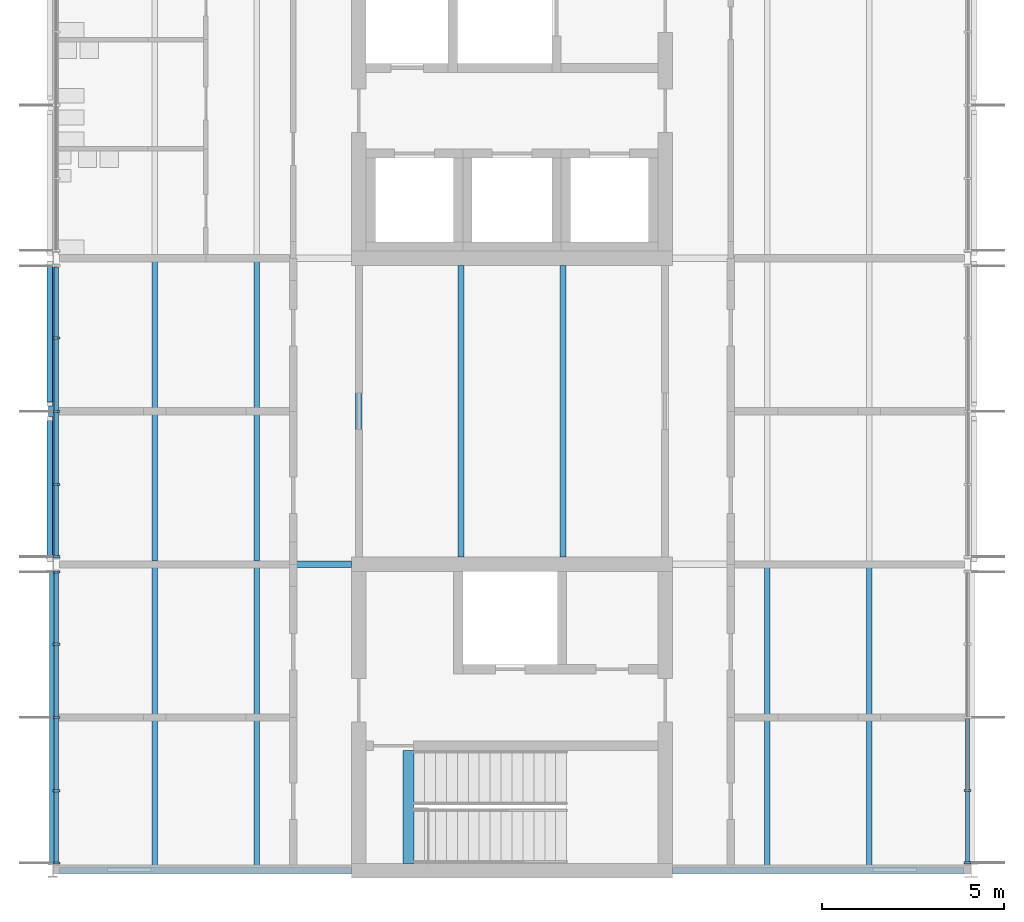
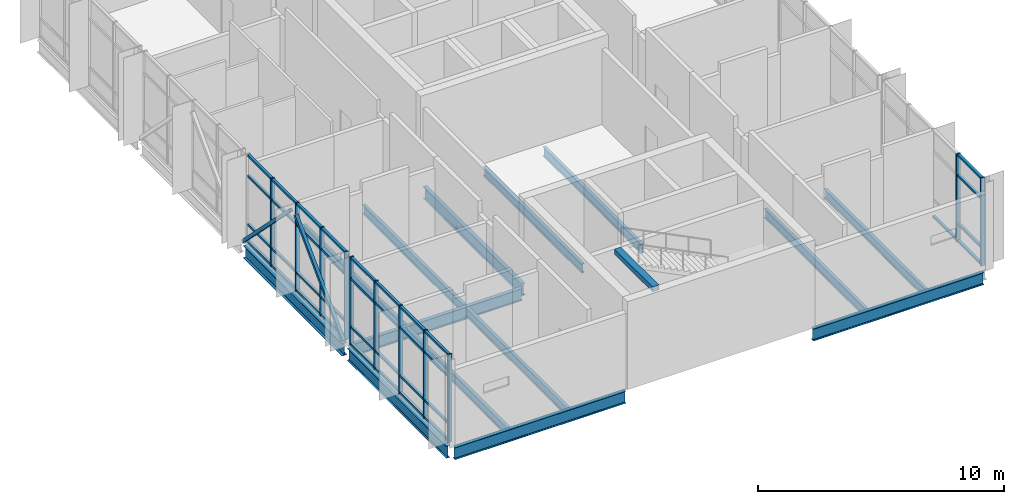
# One storey, part 2 of 15: 50 members, 15 beams, 3 elements without a shape of their own.
"""IFC4 building model written with IfcOpenShell, lengths in metres."""

from ifc_helpers import new_model, si_unit, direction, frame, origin, origin_2d, place, context, subcontext, project, spatial, rectangle, hollow_rectangle, i_section, extrude, material, material_profile, profile_set, type_object, element, aggregate, save


model = new_model("IFC4")

# Units and contexts
model_context = context("Model", 3, precision=1e-05, world=origin(), true_north=direction((0.0, 1.0)))
body_context = subcontext(model_context, "Body", "Model", "MODEL_VIEW")
ifc_project = project(units=[si_unit("LENGTHUNIT", "METRE"), si_unit("AREAUNIT", "SQUARE_METRE"), si_unit("VOLUMEUNIT", "CUBIC_METRE"), si_unit("PLANEANGLEUNIT", "RADIAN"), si_unit("MASSUNIT", "GRAM", prefix="KILO")], contexts=[model_context])

# Site, building, storey
site_placement = place(None, origin())
site = spatial("IfcSite", under=ifc_project, at=site_placement, CompositionType="ELEMENT")
building_placement = place(site_placement, origin())
building = spatial("IfcBuilding", under=site, at=building_placement, Name="Hlaing Beacon Police Headquarters", CompositionType="ELEMENT")
storey_placement = place(building_placement, frame((0.0, 0.0, 32.39990234375)))
storey = spatial("IfcBuildingStorey", under=building, at=storey_placement, Name="L07", CompositionType="ELEMENT", Elevation=32.39990234375)

# Members
ifc_material_1 = material(Name="Steel ASTM A500 Grade C", Category="steel")
ifc_material_profile_1 = material_profile(ifc_material_1, hollow_rectangle(XDim=0.15234375, YDim=0.15234375, WallThickness=0.0126953125, at=origin_2d()), Name="HSS6x6x1/2")
ifc_profile_set_1 = profile_set([ifc_material_profile_1], Name="Steel ASTM A500 Grade C")
member_type_1 = type_object("IfcMemberType", Name="Chevron brace HSS6x6x1/2", PredefinedType="BRACE", material=ifc_profile_set_1)
for number, where, z_axis, x_axis, name in (
    (1, (100.7197265625, 42.1298828125, 0.05419921875), (0.0, 0.704391022459, 0.70981214943), (-1.0, 0.0, 0.0), "STR-BR-L07-N6a"),
    (2, (100.7197265625, 50.27001953125, 0.05419921875), (0.0, -0.704391022459, 0.70981214943), (1.0, 0.0, 0.0), "STR-BR-L07-N6b"),
):
    element("IfcMember", number, at=place(storey_placement, frame(where, z_axis=z_axis, x_axis=x_axis)), inside=storey, type_object=member_type_1, Name=name, PredefinedType="BRACE", context=body_context, shape_type="SweptSolid", body=[
        extrude(hollow_rectangle(XDim=0.15234375, YDim=0.15234375, WallThickness=0.0126953125, at=origin_2d()), origin(), (0.0, 0.0, 1.0), 5.494384765625),
    ])

# Beams
ifc_material_2 = material(Name="Steel ASTM A992 Grade 50", Category="steel")
ifc_material_profile_2 = material_profile(ifc_material_2, i_section(OverallWidth=0.177978515625, OverallDepth=0.599365234375, WebThickness=0.010009765625, FlangeThickness=0.012939453125, FilletRadius=0.012939453125, at=origin_2d()), Name="W24x55")
ifc_profile_set_2 = profile_set([ifc_material_profile_2], Name="Steel ASTM A992 Grade 50")
beam_type_1 = type_object("IfcBeamType", Name="Girder W24x55", PredefinedType="BEAM", material=ifc_profile_set_2)
beam_1_placement = place(storey_placement, frame((100.98388671875, 33.60009765625, -0.4296875), z_axis=(1.0, 0.0, 0.0), x_axis=(0.0, 1.0, 0.0)))
element("IfcBeam", 3, at=beam_1_placement, inside=storey, type_object=beam_type_1, Name="STR-BM-L07-GX-N5-P5", PredefinedType="BEAM", context=body_context, shape_type="SweptSolid", body=[
    extrude(i_section(OverallWidth=0.177978515625, OverallDepth=0.599365234375, WebThickness=0.010009765625, FlangeThickness=0.012939453125, FilletRadius=0.012939453125, at=origin_2d()), origin(), (0.0, 0.0, 1.0), 8.01611328125),
])
beam_2_placement = place(storey_placement, frame((117.800048828125, 33.60009765625, -0.4296875), z_axis=(1.0, 0.0, 0.0), x_axis=(0.0, 1.0, 0.0)))
element("IfcBeam", 4, at=beam_2_placement, inside=storey, type_object=beam_type_1, Name="STR-BM-L07-GX-Q5-R5", PredefinedType="BEAM", context=body_context, shape_type="SweptSolid", body=[
    extrude(i_section(OverallWidth=0.177978515625, OverallDepth=0.599365234375, WebThickness=0.010009765625, FlangeThickness=0.012939453125, FilletRadius=0.012939453125, at=origin_2d()), origin(), (0.0, 0.0, 1.0), 8.001953125),
])
beam_3_placement = place(storey_placement, frame((100.985107421875, 42.0, -0.4296875), z_axis=(1.0, 0.0, 0.0), x_axis=(0.0, 1.0, 0.0)))
element("IfcBeam", 5, at=beam_3_placement, inside=storey, type_object=beam_type_1, Name="STR-BM-L07-GX-N6-P6", PredefinedType="BEAM", context=body_context, shape_type="SweptSolid", body=[
    extrude(i_section(OverallWidth=0.177978515625, OverallDepth=0.599365234375, WebThickness=0.010009765625, FlangeThickness=0.012939453125, FilletRadius=0.012939453125, at=origin_2d()), origin(), (0.0, 0.0, 1.0), 8.014892578125),
])
beam_4_placement = place(storey_placement, frame((100.800048828125, 33.778076171875, -0.4296875), z_axis=(0.0, 1.0, 0.0), x_axis=(-1.0, 0.0, 0.0)))
element("IfcBeam", 6, at=beam_4_placement, inside=storey, type_object=beam_type_1, Name="STR-BM-L07-GY-N5-N6", PredefinedType="BEAM", context=body_context, shape_type="SweptSolid", body=[
    extrude(i_section(OverallWidth=0.177978515625, OverallDepth=0.599365234375, WebThickness=0.010009765625, FlangeThickness=0.012939453125, FilletRadius=0.012939453125, at=origin_2d()), origin(), (0.0, 0.0, 1.0), 8.0400390625),
])
beam_5_placement = place(storey_placement, frame((109.199951171875, 42.199951171875, -0.4296875), z_axis=(0.0, 1.0, 0.0), x_axis=(-1.0, 0.0, 0.0)))
element("IfcBeam", 7, at=beam_5_placement, inside=storey, type_object=beam_type_1, Name="STR-BM-L07-GY-P6-P7", PredefinedType="BEAM", context=body_context, shape_type="SweptSolid", body=[
    extrude(i_section(OverallWidth=0.177978515625, OverallDepth=0.599365234375, WebThickness=0.010009765625, FlangeThickness=0.012939453125, FilletRadius=0.012939453125, at=origin_2d()), origin(), (0.0, 0.0, 1.0), 8.0),
])
ifc_material_3 = material(Name="Steel ASTM A992 Grade 50", Category="steel")
ifc_material_profile_3 = material_profile(ifc_material_3, i_section(OverallWidth=0.22900390625, OverallDepth=0.612060546875, WebThickness=0.011962890625, FlangeThickness=0.01953125, FilletRadius=0.0126953125, at=origin_2d()), Name="W24x84")
ifc_profile_set_3 = profile_set([ifc_material_profile_3], Name="Steel ASTM A992 Grade 50")
beam_type_2 = type_object("IfcBeamType", Name="Girder W24x84", PredefinedType="BEAM", material=ifc_profile_set_3)
beam_6_placement = place(storey_placement, frame((100.800048828125, 42.181884765625, -0.43603515625), z_axis=(0.0, 1.0, 0.0), x_axis=(-1.0, 0.0, 0.0)))
element("IfcBeam", 8, at=beam_6_placement, inside=storey, type_object=beam_type_2, Name="STR-BM-L07-GY-N6-N7", PredefinedType="BEAM", context=body_context, shape_type="SweptSolid", body=[
    extrude(i_section(OverallWidth=0.22900390625, OverallDepth=0.612060546875, WebThickness=0.011962890625, FlangeThickness=0.01953125, FilletRadius=0.0126953125, at=origin_2d()), origin(), (0.0, 0.0, 1.0), 8.0361328125),
])

# Curtain wall, members
ifc_material_4 = material(Name="Aluminium frame with solar control glazing", Category="aluminium")
curtain_wall_type = type_object("IfcCurtainWallType", Name="Unitised curtain wall 8.04 x 4.37", PredefinedType="NOTDEFINED", material=ifc_material_4)
curtain_wall_1_placement = place(storey_placement, origin())
curtain_wall_1 = element("IfcCurtainWall", 9, at=curtain_wall_1_placement, inside=storey, type_object=curtain_wall_type, Name="ENV-CW-L07-E001", PredefinedType="NOTDEFINED")
ifc_material_5 = material(Name="Aluminium", Category="aluminium")
ifc_material_profile_4 = material_profile(ifc_material_5, rectangle(XDim=0.199951171875, YDim=0.06005859375, at=origin_2d()), Name="Mullion 60x200")
ifc_profile_set_4 = profile_set([ifc_material_profile_4], Name="Aluminium")
member_type_2 = type_object("IfcMemberType", Name="Mullion 60x200", PredefinedType="MULLION", material=ifc_profile_set_4)
member_1_placement = place(storey_placement, frame((125.89990234375, 33.814208984375, 0.0), z_axis=(0.0, 0.0, 1.0), x_axis=(-1.0, 0.0, 0.0)))
member_1 = element("IfcMember", 10, at=member_1_placement, type_object=member_type_2, Name="CW-L07-E001 mullion 1", PredefinedType="MULLION", context=body_context, shape_type="SweptSolid", body=[
    extrude(rectangle(XDim=0.199951171875, YDim=0.06005859375, at=origin_2d()), origin(), (0.0, 0.0, 1.0), 4.3701171875),
])
member_2_placement = place(storey_placement, frame((125.89990234375, 35.79296875, 0.0), z_axis=(0.0, 0.0, 1.0), x_axis=(-1.0, 0.0, 0.0)))
member_2 = element("IfcMember", 11, at=member_2_placement, type_object=member_type_2, Name="CW-L07-E001 mullion 2", PredefinedType="MULLION", context=body_context, shape_type="SweptSolid", body=[
    extrude(rectangle(XDim=0.199951171875, YDim=0.06005859375, at=origin_2d()), origin(), (0.0, 0.0, 1.0), 4.3701171875),
])

curtain_wall_2_placement = place(storey_placement, origin())
curtain_wall_2 = element("IfcCurtainWall", 12, at=curtain_wall_2_placement, inside=storey, type_object=curtain_wall_type, Name="ENV-CW-L07-W007", PredefinedType="NOTDEFINED")
member_3_placement = place(storey_placement, frame((100.89990234375, 48.2099609375, 0.0), z_axis=(0.0, 0.0, 1.0), x_axis=(1.0, 0.0, 0.0)))
member_3 = element("IfcMember", 13, at=member_3_placement, type_object=member_type_2, Name="CW-L07-W007 mullion 2", PredefinedType="MULLION", context=body_context, shape_type="SweptSolid", body=[
    extrude(rectangle(XDim=0.199951171875, YDim=0.06005859375, at=origin_2d()), origin(), (0.0, 0.0, 1.0), 4.3701171875),
])
member_4_placement = place(storey_placement, frame((100.89990234375, 46.199951171875, 0.0), z_axis=(0.0, 0.0, 1.0), x_axis=(1.0, 0.0, 0.0)))
member_4 = element("IfcMember", 14, at=member_4_placement, type_object=member_type_2, Name="CW-L07-W007 mullion 3", PredefinedType="MULLION", context=body_context, shape_type="SweptSolid", body=[
    extrude(rectangle(XDim=0.199951171875, YDim=0.06005859375, at=origin_2d()), origin(), (0.0, 0.0, 1.0), 4.3701171875),
])
member_5_placement = place(storey_placement, frame((100.89990234375, 44.190185546875, 0.0), z_axis=(0.0, 0.0, 1.0), x_axis=(1.0, 0.0, 0.0)))
member_5 = element("IfcMember", 15, at=member_5_placement, type_object=member_type_2, Name="CW-L07-W007 mullion 4", PredefinedType="MULLION", context=body_context, shape_type="SweptSolid", body=[
    extrude(rectangle(XDim=0.199951171875, YDim=0.06005859375, at=origin_2d()), origin(), (0.0, 0.0, 1.0), 4.3701171875),
])
member_6_placement = place(storey_placement, frame((100.89990234375, 42.210205078125, 0.0), z_axis=(0.0, 0.0, 1.0), x_axis=(1.0, 0.0, 0.0)))
member_6 = element("IfcMember", 16, at=member_6_placement, type_object=member_type_2, Name="CW-L07-W007 mullion 5", PredefinedType="MULLION", context=body_context, shape_type="SweptSolid", body=[
    extrude(rectangle(XDim=0.199951171875, YDim=0.06005859375, at=origin_2d()), origin(), (0.0, 0.0, 1.0), 4.3701171875),
])

curtain_wall_3_placement = place(storey_placement, origin())
curtain_wall_3 = element("IfcCurtainWall", 17, at=curtain_wall_3_placement, inside=storey, type_object=curtain_wall_type, Name="ENV-CW-L07-W008", PredefinedType="NOTDEFINED")
member_7_placement = place(storey_placement, frame((100.89990234375, 41.789794921875, 0.0), z_axis=(0.0, 0.0, 1.0), x_axis=(1.0, 0.0, 0.0)))
member_7 = element("IfcMember", 18, at=member_7_placement, type_object=member_type_2, Name="CW-L07-W008 mullion 1", PredefinedType="MULLION", context=body_context, shape_type="SweptSolid", body=[
    extrude(rectangle(XDim=0.199951171875, YDim=0.06005859375, at=origin_2d()), origin(), (0.0, 0.0, 1.0), 4.3701171875),
])
member_8_placement = place(storey_placement, frame((100.89990234375, 39.809814453125, 0.0), z_axis=(0.0, 0.0, 1.0), x_axis=(1.0, 0.0, 0.0)))
member_8 = element("IfcMember", 19, at=member_8_placement, type_object=member_type_2, Name="CW-L07-W008 mullion 2", PredefinedType="MULLION", context=body_context, shape_type="SweptSolid", body=[
    extrude(rectangle(XDim=0.199951171875, YDim=0.06005859375, at=origin_2d()), origin(), (0.0, 0.0, 1.0), 4.3701171875),
])
member_9_placement = place(storey_placement, frame((100.89990234375, 37.800048828125, 0.0), z_axis=(0.0, 0.0, 1.0), x_axis=(1.0, 0.0, 0.0)))
member_9 = element("IfcMember", 20, at=member_9_placement, type_object=member_type_2, Name="CW-L07-W008 mullion 3", PredefinedType="MULLION", context=body_context, shape_type="SweptSolid", body=[
    extrude(rectangle(XDim=0.199951171875, YDim=0.06005859375, at=origin_2d()), origin(), (0.0, 0.0, 1.0), 4.3701171875),
])
member_10_placement = place(storey_placement, frame((100.89990234375, 35.7900390625, 0.0), z_axis=(0.0, 0.0, 1.0), x_axis=(1.0, 0.0, 0.0)))
member_10 = element("IfcMember", 21, at=member_10_placement, type_object=member_type_2, Name="CW-L07-W008 mullion 4", PredefinedType="MULLION", context=body_context, shape_type="SweptSolid", body=[
    extrude(rectangle(XDim=0.199951171875, YDim=0.06005859375, at=origin_2d()), origin(), (0.0, 0.0, 1.0), 4.3701171875),
])
member_11_placement = place(storey_placement, frame((100.89990234375, 33.810302734375, 0.0), z_axis=(0.0, 0.0, 1.0), x_axis=(1.0, 0.0, 0.0)))
member_11 = element("IfcMember", 22, at=member_11_placement, type_object=member_type_2, Name="CW-L07-W008 mullion 5", PredefinedType="MULLION", context=body_context, shape_type="SweptSolid", body=[
    extrude(rectangle(XDim=0.199951171875, YDim=0.06005859375, at=origin_2d()), origin(), (0.0, 0.0, 1.0), 4.3701171875),
])

# Beams
ifc_material_6 = material(Name="Steel ASTM A992 Grade 50", Category="steel")
ifc_material_profile_5 = material_profile(ifc_material_6, i_section(OverallWidth=0.15234375, OverallDepth=0.449462890625, WebThickness=0.007568359375, FlangeThickness=0.0107421875, FilletRadius=0.01025390625, at=origin_2d()), Name="W18x35")
ifc_profile_set_5 = profile_set([ifc_material_profile_5], Name="Steel ASTM A992 Grade 50")
beam_type_3 = type_object("IfcBeamType", Name="Secondary beam W18x35", PredefinedType="BEAM", material=ifc_profile_set_5)
for number, where, z_axis, x_axis, name in (
    (23, (103.60009765625, 33.68896484375, -0.354736328125), (0.0, 1.0, 0.0), (-1.0, 0.0, 0.0), "STR-BM-L07-SB-N5-y1"),
    (24, (106.39990234375, 33.68896484375, -0.354736328125), (0.0, 1.0, 0.0), (-1.0, 0.0, 0.0), "STR-BM-L07-SB-N5-y2"),
    (25, (103.60009765625, 42.089111328125, -0.354736328125), (0.0, 1.0, 0.0), (-1.0, 0.0, 0.0), "STR-BM-L07-SB-N6-y1"),
    (26, (106.39990234375, 42.089111328125, -0.354736328125), (0.0, 1.0, 0.0), (-1.0, 0.0, 0.0), "STR-BM-L07-SB-N6-y2"),
):
    element("IfcBeam", number, at=place(storey_placement, frame(where, z_axis=z_axis, x_axis=x_axis)), inside=storey, type_object=beam_type_3, Name=name, PredefinedType="BEAM", context=body_context, shape_type="SweptSolid", body=[
        extrude(i_section(OverallWidth=0.15234375, OverallDepth=0.449462890625, WebThickness=0.007568359375, FlangeThickness=0.0107421875, FilletRadius=0.01025390625, at=origin_2d()), origin(), (0.0, 0.0, 1.0), 8.221923828125),
    ])
for number, where, z_axis, x_axis, name in (
    (27, (112.0, 42.199951171875, -0.354736328125), (0.0, 1.0, 0.0), (-1.0, 0.0, 0.0), "STR-BM-L07-SB-P6-y1"),
    (28, (114.800048828125, 42.199951171875, -0.354736328125), (0.0, 1.0, 0.0), (-1.0, 0.0, 0.0), "STR-BM-L07-SB-P6-y2"),
):
    element("IfcBeam", number, at=place(storey_placement, frame(where, z_axis=z_axis, x_axis=x_axis)), inside=storey, type_object=beam_type_3, Name=name, PredefinedType="BEAM", context=body_context, shape_type="SweptSolid", body=[
        extrude(i_section(OverallWidth=0.15234375, OverallDepth=0.449462890625, WebThickness=0.007568359375, FlangeThickness=0.0107421875, FilletRadius=0.01025390625, at=origin_2d()), origin(), (0.0, 0.0, 1.0), 8.0),
    ])
for number, where, z_axis, x_axis, name in (
    (29, (120.39990234375, 33.68896484375, -0.354736328125), (0.0, 1.0, 0.0), (-1.0, 0.0, 0.0), "STR-BM-L07-SB-Q5-y1"),
    (30, (123.199951171875, 33.68896484375, -0.354736328125), (0.0, 1.0, 0.0), (-1.0, 0.0, 0.0), "STR-BM-L07-SB-Q5-y2"),
):
    element("IfcBeam", number, at=place(storey_placement, frame(where, z_axis=z_axis, x_axis=x_axis)), inside=storey, type_object=beam_type_3, Name=name, PredefinedType="BEAM", context=body_context, shape_type="SweptSolid", body=[
        extrude(i_section(OverallWidth=0.15234375, OverallDepth=0.449462890625, WebThickness=0.007568359375, FlangeThickness=0.0107421875, FilletRadius=0.01025390625, at=origin_2d()), origin(), (0.0, 0.0, 1.0), 8.221923828125),
    ])
ifc_material_7 = material(Name="Concrete C40/50", Category="concrete")
ifc_material_profile_6 = material_profile(ifc_material_7, rectangle(XDim=0.300048828125, YDim=0.25, at=origin_2d()), Name="Stair arrival beam 300x250")
ifc_profile_set_6 = profile_set([ifc_material_profile_6], Name="Concrete C40/50")
beam_type_4 = type_object("IfcBeamType", Name="Stair arrival beam 300x250", PredefinedType="BEAM", material=ifc_profile_set_6)
beam_7_placement = place(storey_placement, frame((110.56005859375, 33.800048828125, 4.2451171875), z_axis=(0.0, 1.0, 0.0), x_axis=(-1.0, 0.0, 0.0)))
element("IfcBeam", 31, at=beam_7_placement, inside=storey, type_object=beam_type_4, Name="Stair arrival beam ST-L", PredefinedType="BEAM", context=body_context, shape_type="SweptSolid", body=[
    extrude(rectangle(XDim=0.300048828125, YDim=0.25, at=origin_2d()), origin(), (0.0, 0.0, 1.0), 3.099853515625),
])

# Member
ifc_material_8 = material(Name="Aluminium", Category="aluminium")
ifc_material_profile_7 = material_profile(ifc_material_8, rectangle(XDim=0.1201171875, YDim=0.10009765625, at=origin_2d()), Name="Transom 120x100")
ifc_profile_set_7 = profile_set([ifc_material_profile_7], Name="Aluminium")
member_type_3 = type_object("IfcMemberType", Name="Transom 120x100", PredefinedType="USERDEFINED", material=ifc_profile_set_7)
member_12_placement = place(storey_placement, frame((125.89990234375, 33.84423828125, 0.050048828125), z_axis=(0.0, 1.0, 0.0), x_axis=(-1.0, 0.0, 0.0)))
member_12 = element("IfcMember", 32, at=member_12_placement, type_object=member_type_3, Name="CW-L07-E001 transom 1.1", ObjectType="TRANSOM", PredefinedType="USERDEFINED", context=body_context, shape_type="SweptSolid", body=[
    extrude(rectangle(XDim=0.1201171875, YDim=0.10009765625, at=origin_2d()), origin(), (0.0, 0.0, 1.0), 1.9189453125),
])

member_13_placement = place(storey_placement, frame((125.89990234375, 33.84423828125, 0.900146484375), z_axis=(0.0, 1.0, 0.0), x_axis=(-1.0, 0.0, 0.0)))
member_13 = element("IfcMember", 33, at=member_13_placement, type_object=member_type_3, Name="CW-L07-E001 transom 1.2", ObjectType="TRANSOM", PredefinedType="USERDEFINED", context=body_context, shape_type="SweptSolid", body=[
    extrude(rectangle(XDim=0.1201171875, YDim=0.10009765625, at=origin_2d()), origin(), (0.0, 0.0, 1.0), 1.9189453125),
])

member_14_placement = place(storey_placement, frame((125.89990234375, 33.84423828125, 3.300048828125), z_axis=(0.0, 1.0, 0.0), x_axis=(-1.0, 0.0, 0.0)))
member_14 = element("IfcMember", 34, at=member_14_placement, type_object=member_type_3, Name="CW-L07-E001 transom 1.3", ObjectType="TRANSOM", PredefinedType="USERDEFINED", context=body_context, shape_type="SweptSolid", body=[
    extrude(rectangle(XDim=0.1201171875, YDim=0.10009765625, at=origin_2d()), origin(), (0.0, 0.0, 1.0), 1.9189453125),
])

member_15_placement = place(storey_placement, frame((125.89990234375, 33.84423828125, 4.320068359375), z_axis=(0.0, 1.0, 0.0), x_axis=(-1.0, 0.0, 0.0)))
member_15 = element("IfcMember", 35, at=member_15_placement, type_object=member_type_3, Name="CW-L07-E001 transom 1.4", ObjectType="TRANSOM", PredefinedType="USERDEFINED", context=body_context, shape_type="SweptSolid", body=[
    extrude(rectangle(XDim=0.1201171875, YDim=0.10009765625, at=origin_2d()), origin(), (0.0, 0.0, 1.0), 1.9189453125),
])

member_16_placement = place(storey_placement, frame((125.89990234375, 35.822998046875, 0.050048828125), z_axis=(0.0, 1.0, 0.0), x_axis=(-1.0, 0.0, 0.0)))
member_16 = element("IfcMember", 36, at=member_16_placement, type_object=member_type_3, Name="CW-L07-E001 transom 2.1", ObjectType="TRANSOM", PredefinedType="USERDEFINED", context=body_context, shape_type="SweptSolid", body=[
    extrude(rectangle(XDim=0.1201171875, YDim=0.10009765625, at=origin_2d()), origin(), (0.0, 0.0, 1.0), 1.948974609375),
])

aggregate(curtain_wall_1, [member_1, member_2, member_12, member_13, member_14, member_15, member_16])

member_17_placement = place(storey_placement, frame((100.89990234375, 50.15966796875, 0.050048828125), z_axis=(0.0, -1.0, 0.0), x_axis=(1.0, 0.0, 0.0)))
member_17 = element("IfcMember", 37, at=member_17_placement, type_object=member_type_3, Name="CW-L07-W007 transom 1.1", ObjectType="TRANSOM", PredefinedType="USERDEFINED", context=body_context, shape_type="SweptSolid", body=[
    extrude(rectangle(XDim=0.1201171875, YDim=0.10009765625, at=origin_2d()), origin(), (0.0, 0.0, 1.0), 1.919921875),
])

member_18_placement = place(storey_placement, frame((100.89990234375, 50.15966796875, 0.900146484375), z_axis=(0.0, -1.0, 0.0), x_axis=(1.0, 0.0, 0.0)))
member_18 = element("IfcMember", 38, at=member_18_placement, type_object=member_type_3, Name="CW-L07-W007 transom 1.2", ObjectType="TRANSOM", PredefinedType="USERDEFINED", context=body_context, shape_type="SweptSolid", body=[
    extrude(rectangle(XDim=0.1201171875, YDim=0.10009765625, at=origin_2d()), origin(), (0.0, 0.0, 1.0), 1.919921875),
])

member_19_placement = place(storey_placement, frame((100.89990234375, 50.15966796875, 3.300048828125), z_axis=(0.0, -1.0, 0.0), x_axis=(1.0, 0.0, 0.0)))
member_19 = element("IfcMember", 39, at=member_19_placement, type_object=member_type_3, Name="CW-L07-W007 transom 1.3", ObjectType="TRANSOM", PredefinedType="USERDEFINED", context=body_context, shape_type="SweptSolid", body=[
    extrude(rectangle(XDim=0.1201171875, YDim=0.10009765625, at=origin_2d()), origin(), (0.0, 0.0, 1.0), 1.919921875),
])

member_20_placement = place(storey_placement, frame((100.89990234375, 50.15966796875, 4.320068359375), z_axis=(0.0, -1.0, 0.0), x_axis=(1.0, 0.0, 0.0)))
member_20 = element("IfcMember", 40, at=member_20_placement, type_object=member_type_3, Name="CW-L07-W007 transom 1.4", ObjectType="TRANSOM", PredefinedType="USERDEFINED", context=body_context, shape_type="SweptSolid", body=[
    extrude(rectangle(XDim=0.1201171875, YDim=0.10009765625, at=origin_2d()), origin(), (0.0, 0.0, 1.0), 1.919921875),
])

member_21_placement = place(storey_placement, frame((100.89990234375, 48.179931640625, 0.050048828125), z_axis=(0.0, -1.0, 0.0), x_axis=(1.0, 0.0, 0.0)))
member_21 = element("IfcMember", 41, at=member_21_placement, type_object=member_type_3, Name="CW-L07-W007 transom 2.1", ObjectType="TRANSOM", PredefinedType="USERDEFINED", context=body_context, shape_type="SweptSolid", body=[
    extrude(rectangle(XDim=0.1201171875, YDim=0.10009765625, at=origin_2d()), origin(), (0.0, 0.0, 1.0), 1.949951171875),
])

member_22_placement = place(storey_placement, frame((100.89990234375, 48.179931640625, 0.900146484375), z_axis=(0.0, -1.0, 0.0), x_axis=(1.0, 0.0, 0.0)))
member_22 = element("IfcMember", 42, at=member_22_placement, type_object=member_type_3, Name="CW-L07-W007 transom 2.2", ObjectType="TRANSOM", PredefinedType="USERDEFINED", context=body_context, shape_type="SweptSolid", body=[
    extrude(rectangle(XDim=0.1201171875, YDim=0.10009765625, at=origin_2d()), origin(), (0.0, 0.0, 1.0), 1.949951171875),
])

member_23_placement = place(storey_placement, frame((100.89990234375, 48.179931640625, 3.300048828125), z_axis=(0.0, -1.0, 0.0), x_axis=(1.0, 0.0, 0.0)))
member_23 = element("IfcMember", 43, at=member_23_placement, type_object=member_type_3, Name="CW-L07-W007 transom 2.3", ObjectType="TRANSOM", PredefinedType="USERDEFINED", context=body_context, shape_type="SweptSolid", body=[
    extrude(rectangle(XDim=0.1201171875, YDim=0.10009765625, at=origin_2d()), origin(), (0.0, 0.0, 1.0), 1.949951171875),
])

member_24_placement = place(storey_placement, frame((100.89990234375, 48.179931640625, 4.320068359375), z_axis=(0.0, -1.0, 0.0), x_axis=(1.0, 0.0, 0.0)))
member_24 = element("IfcMember", 44, at=member_24_placement, type_object=member_type_3, Name="CW-L07-W007 transom 2.4", ObjectType="TRANSOM", PredefinedType="USERDEFINED", context=body_context, shape_type="SweptSolid", body=[
    extrude(rectangle(XDim=0.1201171875, YDim=0.10009765625, at=origin_2d()), origin(), (0.0, 0.0, 1.0), 1.949951171875),
])

member_25_placement = place(storey_placement, frame((100.89990234375, 46.169921875, 0.050048828125), z_axis=(0.0, -1.0, 0.0), x_axis=(1.0, 0.0, 0.0)))
member_25 = element("IfcMember", 45, at=member_25_placement, type_object=member_type_3, Name="CW-L07-W007 transom 3.1", ObjectType="TRANSOM", PredefinedType="USERDEFINED", context=body_context, shape_type="SweptSolid", body=[
    extrude(rectangle(XDim=0.1201171875, YDim=0.10009765625, at=origin_2d()), origin(), (0.0, 0.0, 1.0), 1.94970703125),
])

member_26_placement = place(storey_placement, frame((100.89990234375, 46.169921875, 0.900146484375), z_axis=(0.0, -1.0, 0.0), x_axis=(1.0, 0.0, 0.0)))
member_26 = element("IfcMember", 46, at=member_26_placement, type_object=member_type_3, Name="CW-L07-W007 transom 3.2", ObjectType="TRANSOM", PredefinedType="USERDEFINED", context=body_context, shape_type="SweptSolid", body=[
    extrude(rectangle(XDim=0.1201171875, YDim=0.10009765625, at=origin_2d()), origin(), (0.0, 0.0, 1.0), 1.94970703125),
])

member_27_placement = place(storey_placement, frame((100.89990234375, 46.169921875, 3.300048828125), z_axis=(0.0, -1.0, 0.0), x_axis=(1.0, 0.0, 0.0)))
member_27 = element("IfcMember", 47, at=member_27_placement, type_object=member_type_3, Name="CW-L07-W007 transom 3.3", ObjectType="TRANSOM", PredefinedType="USERDEFINED", context=body_context, shape_type="SweptSolid", body=[
    extrude(rectangle(XDim=0.1201171875, YDim=0.10009765625, at=origin_2d()), origin(), (0.0, 0.0, 1.0), 1.94970703125),
])

member_28_placement = place(storey_placement, frame((100.89990234375, 46.169921875, 4.320068359375), z_axis=(0.0, -1.0, 0.0), x_axis=(1.0, 0.0, 0.0)))
member_28 = element("IfcMember", 48, at=member_28_placement, type_object=member_type_3, Name="CW-L07-W007 transom 3.4", ObjectType="TRANSOM", PredefinedType="USERDEFINED", context=body_context, shape_type="SweptSolid", body=[
    extrude(rectangle(XDim=0.1201171875, YDim=0.10009765625, at=origin_2d()), origin(), (0.0, 0.0, 1.0), 1.94970703125),
])

member_29_placement = place(storey_placement, frame((100.89990234375, 44.16015625, 0.050048828125), z_axis=(0.0, -1.0, 0.0), x_axis=(1.0, 0.0, 0.0)))
member_29 = element("IfcMember", 49, at=member_29_placement, type_object=member_type_3, Name="CW-L07-W007 transom 4.1", ObjectType="TRANSOM", PredefinedType="USERDEFINED", context=body_context, shape_type="SweptSolid", body=[
    extrude(rectangle(XDim=0.1201171875, YDim=0.10009765625, at=origin_2d()), origin(), (0.0, 0.0, 1.0), 1.919921875),
])

member_30_placement = place(storey_placement, frame((100.89990234375, 44.16015625, 0.900146484375), z_axis=(0.0, -1.0, 0.0), x_axis=(1.0, 0.0, 0.0)))
member_30 = element("IfcMember", 50, at=member_30_placement, type_object=member_type_3, Name="CW-L07-W007 transom 4.2", ObjectType="TRANSOM", PredefinedType="USERDEFINED", context=body_context, shape_type="SweptSolid", body=[
    extrude(rectangle(XDim=0.1201171875, YDim=0.10009765625, at=origin_2d()), origin(), (0.0, 0.0, 1.0), 1.919921875),
])

member_31_placement = place(storey_placement, frame((100.89990234375, 44.16015625, 3.300048828125), z_axis=(0.0, -1.0, 0.0), x_axis=(1.0, 0.0, 0.0)))
member_31 = element("IfcMember", 51, at=member_31_placement, type_object=member_type_3, Name="CW-L07-W007 transom 4.3", ObjectType="TRANSOM", PredefinedType="USERDEFINED", context=body_context, shape_type="SweptSolid", body=[
    extrude(rectangle(XDim=0.1201171875, YDim=0.10009765625, at=origin_2d()), origin(), (0.0, 0.0, 1.0), 1.919921875),
])

member_32_placement = place(storey_placement, frame((100.89990234375, 44.16015625, 4.320068359375), z_axis=(0.0, -1.0, 0.0), x_axis=(1.0, 0.0, 0.0)))
member_32 = element("IfcMember", 52, at=member_32_placement, type_object=member_type_3, Name="CW-L07-W007 transom 4.4", ObjectType="TRANSOM", PredefinedType="USERDEFINED", context=body_context, shape_type="SweptSolid", body=[
    extrude(rectangle(XDim=0.1201171875, YDim=0.10009765625, at=origin_2d()), origin(), (0.0, 0.0, 1.0), 1.919921875),
])

aggregate(curtain_wall_2, [member_3, member_4, member_5, member_6, member_17, member_18, member_19, member_20, member_21, member_22, member_23, member_24, member_25, member_26, member_27, member_28, member_29, member_30, member_31, member_32])

member_33_placement = place(storey_placement, frame((100.89990234375, 41.759765625, 0.050048828125), z_axis=(0.0, -1.0, 0.0), x_axis=(1.0, 0.0, 0.0)))
member_33 = element("IfcMember", 53, at=member_33_placement, type_object=member_type_3, Name="CW-L07-W008 transom 1.1", ObjectType="TRANSOM", PredefinedType="USERDEFINED", context=body_context, shape_type="SweptSolid", body=[
    extrude(rectangle(XDim=0.1201171875, YDim=0.10009765625, at=origin_2d()), origin(), (0.0, 0.0, 1.0), 1.919921875),
])

member_34_placement = place(storey_placement, frame((100.89990234375, 41.759765625, 0.900146484375), z_axis=(0.0, -1.0, 0.0), x_axis=(1.0, 0.0, 0.0)))
member_34 = element("IfcMember", 54, at=member_34_placement, type_object=member_type_3, Name="CW-L07-W008 transom 1.2", ObjectType="TRANSOM", PredefinedType="USERDEFINED", context=body_context, shape_type="SweptSolid", body=[
    extrude(rectangle(XDim=0.1201171875, YDim=0.10009765625, at=origin_2d()), origin(), (0.0, 0.0, 1.0), 1.919921875),
])

member_35_placement = place(storey_placement, frame((100.89990234375, 41.759765625, 3.300048828125), z_axis=(0.0, -1.0, 0.0), x_axis=(1.0, 0.0, 0.0)))
member_35 = element("IfcMember", 55, at=member_35_placement, type_object=member_type_3, Name="CW-L07-W008 transom 1.3", ObjectType="TRANSOM", PredefinedType="USERDEFINED", context=body_context, shape_type="SweptSolid", body=[
    extrude(rectangle(XDim=0.1201171875, YDim=0.10009765625, at=origin_2d()), origin(), (0.0, 0.0, 1.0), 1.919921875),
])

member_36_placement = place(storey_placement, frame((100.89990234375, 41.759765625, 4.320068359375), z_axis=(0.0, -1.0, 0.0), x_axis=(1.0, 0.0, 0.0)))
member_36 = element("IfcMember", 56, at=member_36_placement, type_object=member_type_3, Name="CW-L07-W008 transom 1.4", ObjectType="TRANSOM", PredefinedType="USERDEFINED", context=body_context, shape_type="SweptSolid", body=[
    extrude(rectangle(XDim=0.1201171875, YDim=0.10009765625, at=origin_2d()), origin(), (0.0, 0.0, 1.0), 1.919921875),
])

member_37_placement = place(storey_placement, frame((100.89990234375, 39.77978515625, 0.050048828125), z_axis=(0.0, -1.0, 0.0), x_axis=(1.0, 0.0, 0.0)))
member_37 = element("IfcMember", 57, at=member_37_placement, type_object=member_type_3, Name="CW-L07-W008 transom 2.1", ObjectType="TRANSOM", PredefinedType="USERDEFINED", context=body_context, shape_type="SweptSolid", body=[
    extrude(rectangle(XDim=0.1201171875, YDim=0.10009765625, at=origin_2d()), origin(), (0.0, 0.0, 1.0), 1.94970703125),
])

member_38_placement = place(storey_placement, frame((100.89990234375, 39.77978515625, 0.900146484375), z_axis=(0.0, -1.0, 0.0), x_axis=(1.0, 0.0, 0.0)))
member_38 = element("IfcMember", 58, at=member_38_placement, type_object=member_type_3, Name="CW-L07-W008 transom 2.2", ObjectType="TRANSOM", PredefinedType="USERDEFINED", context=body_context, shape_type="SweptSolid", body=[
    extrude(rectangle(XDim=0.1201171875, YDim=0.10009765625, at=origin_2d()), origin(), (0.0, 0.0, 1.0), 1.94970703125),
])

member_39_placement = place(storey_placement, frame((100.89990234375, 39.77978515625, 3.300048828125), z_axis=(0.0, -1.0, 0.0), x_axis=(1.0, 0.0, 0.0)))
member_39 = element("IfcMember", 59, at=member_39_placement, type_object=member_type_3, Name="CW-L07-W008 transom 2.3", ObjectType="TRANSOM", PredefinedType="USERDEFINED", context=body_context, shape_type="SweptSolid", body=[
    extrude(rectangle(XDim=0.1201171875, YDim=0.10009765625, at=origin_2d()), origin(), (0.0, 0.0, 1.0), 1.94970703125),
])

member_40_placement = place(storey_placement, frame((100.89990234375, 39.77978515625, 4.320068359375), z_axis=(0.0, -1.0, 0.0), x_axis=(1.0, 0.0, 0.0)))
member_40 = element("IfcMember", 60, at=member_40_placement, type_object=member_type_3, Name="CW-L07-W008 transom 2.4", ObjectType="TRANSOM", PredefinedType="USERDEFINED", context=body_context, shape_type="SweptSolid", body=[
    extrude(rectangle(XDim=0.1201171875, YDim=0.10009765625, at=origin_2d()), origin(), (0.0, 0.0, 1.0), 1.94970703125),
])

member_41_placement = place(storey_placement, frame((100.89990234375, 37.77001953125, 0.050048828125), z_axis=(0.0, -1.0, 0.0), x_axis=(1.0, 0.0, 0.0)))
member_41 = element("IfcMember", 61, at=member_41_placement, type_object=member_type_3, Name="CW-L07-W008 transom 3.1", ObjectType="TRANSOM", PredefinedType="USERDEFINED", context=body_context, shape_type="SweptSolid", body=[
    extrude(rectangle(XDim=0.1201171875, YDim=0.10009765625, at=origin_2d()), origin(), (0.0, 0.0, 1.0), 1.949951171875),
])

member_42_placement = place(storey_placement, frame((100.89990234375, 37.77001953125, 0.900146484375), z_axis=(0.0, -1.0, 0.0), x_axis=(1.0, 0.0, 0.0)))
member_42 = element("IfcMember", 62, at=member_42_placement, type_object=member_type_3, Name="CW-L07-W008 transom 3.2", ObjectType="TRANSOM", PredefinedType="USERDEFINED", context=body_context, shape_type="SweptSolid", body=[
    extrude(rectangle(XDim=0.1201171875, YDim=0.10009765625, at=origin_2d()), origin(), (0.0, 0.0, 1.0), 1.949951171875),
])

member_43_placement = place(storey_placement, frame((100.89990234375, 37.77001953125, 3.300048828125), z_axis=(0.0, -1.0, 0.0), x_axis=(1.0, 0.0, 0.0)))
member_43 = element("IfcMember", 63, at=member_43_placement, type_object=member_type_3, Name="CW-L07-W008 transom 3.3", ObjectType="TRANSOM", PredefinedType="USERDEFINED", context=body_context, shape_type="SweptSolid", body=[
    extrude(rectangle(XDim=0.1201171875, YDim=0.10009765625, at=origin_2d()), origin(), (0.0, 0.0, 1.0), 1.949951171875),
])

member_44_placement = place(storey_placement, frame((100.89990234375, 37.77001953125, 4.320068359375), z_axis=(0.0, -1.0, 0.0), x_axis=(1.0, 0.0, 0.0)))
member_44 = element("IfcMember", 64, at=member_44_placement, type_object=member_type_3, Name="CW-L07-W008 transom 3.4", ObjectType="TRANSOM", PredefinedType="USERDEFINED", context=body_context, shape_type="SweptSolid", body=[
    extrude(rectangle(XDim=0.1201171875, YDim=0.10009765625, at=origin_2d()), origin(), (0.0, 0.0, 1.0), 1.949951171875),
])

member_45_placement = place(storey_placement, frame((100.89990234375, 35.76025390625, 0.050048828125), z_axis=(0.0, -1.0, 0.0), x_axis=(1.0, 0.0, 0.0)))
member_45 = element("IfcMember", 65, at=member_45_placement, type_object=member_type_3, Name="CW-L07-W008 transom 4.1", ObjectType="TRANSOM", PredefinedType="USERDEFINED", context=body_context, shape_type="SweptSolid", body=[
    extrude(rectangle(XDim=0.1201171875, YDim=0.10009765625, at=origin_2d()), origin(), (0.0, 0.0, 1.0), 1.919921875),
])

member_46_placement = place(storey_placement, frame((100.89990234375, 35.76025390625, 0.900146484375), z_axis=(0.0, -1.0, 0.0), x_axis=(1.0, 0.0, 0.0)))
member_46 = element("IfcMember", 66, at=member_46_placement, type_object=member_type_3, Name="CW-L07-W008 transom 4.2", ObjectType="TRANSOM", PredefinedType="USERDEFINED", context=body_context, shape_type="SweptSolid", body=[
    extrude(rectangle(XDim=0.1201171875, YDim=0.10009765625, at=origin_2d()), origin(), (0.0, 0.0, 1.0), 1.919921875),
])

member_47_placement = place(storey_placement, frame((100.89990234375, 35.76025390625, 3.300048828125), z_axis=(0.0, -1.0, 0.0), x_axis=(1.0, 0.0, 0.0)))
member_47 = element("IfcMember", 67, at=member_47_placement, type_object=member_type_3, Name="CW-L07-W008 transom 4.3", ObjectType="TRANSOM", PredefinedType="USERDEFINED", context=body_context, shape_type="SweptSolid", body=[
    extrude(rectangle(XDim=0.1201171875, YDim=0.10009765625, at=origin_2d()), origin(), (0.0, 0.0, 1.0), 1.919921875),
])

member_48_placement = place(storey_placement, frame((100.89990234375, 35.76025390625, 4.320068359375), z_axis=(0.0, -1.0, 0.0), x_axis=(1.0, 0.0, 0.0)))
member_48 = element("IfcMember", 68, at=member_48_placement, type_object=member_type_3, Name="CW-L07-W008 transom 4.4", ObjectType="TRANSOM", PredefinedType="USERDEFINED", context=body_context, shape_type="SweptSolid", body=[
    extrude(rectangle(XDim=0.1201171875, YDim=0.10009765625, at=origin_2d()), origin(), (0.0, 0.0, 1.0), 1.919921875),
])

aggregate(curtain_wall_3, [member_7, member_8, member_9, member_10, member_11, member_33, member_34, member_35, member_36, member_37, member_38, member_39, member_40, member_41, member_42, member_43, member_44, member_45, member_46, member_47, member_48])

save(model, "model.ifc")
